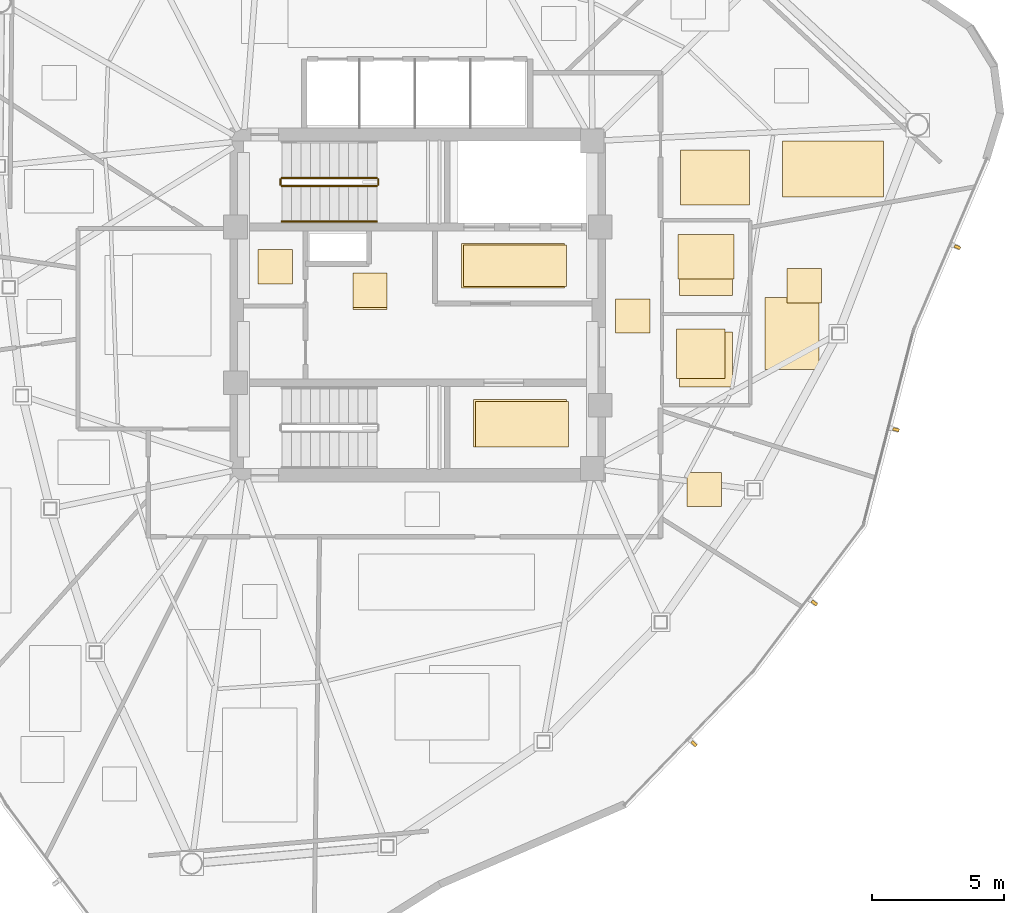
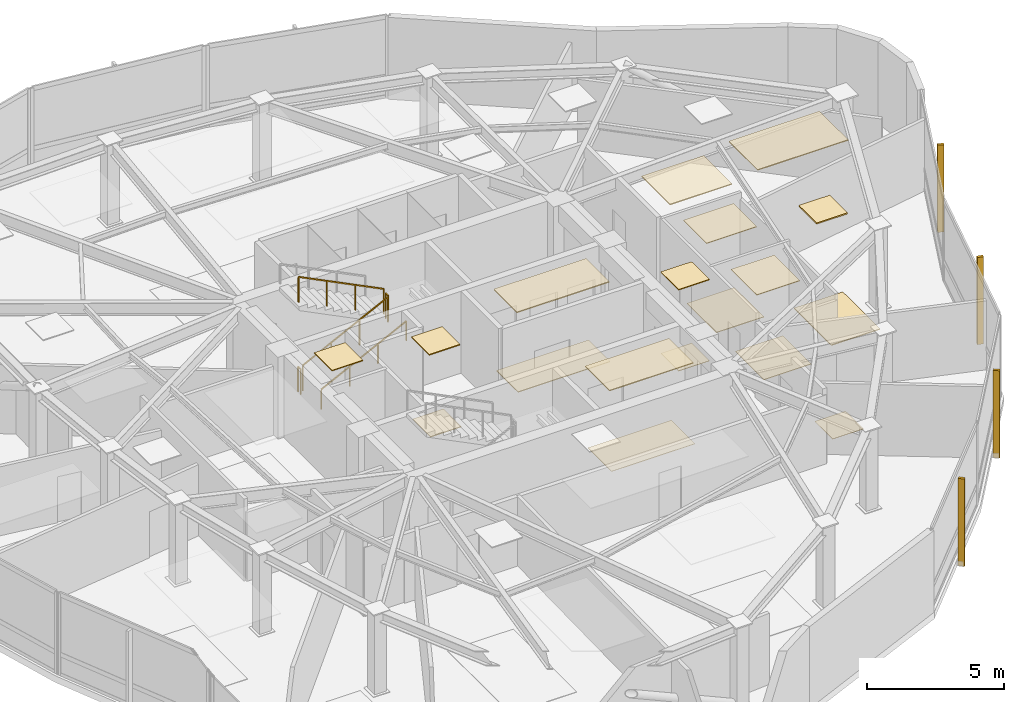
# One storey, part 13 of 14: 18 coverings, 5 railings, 4 shading devices.
"""IFC4 building model written with IfcOpenShell, lengths in metres."""

from ifc_helpers import new_model, si_unit, direction, frame, origin, origin_2d, place, context, subcontext, project, spatial, polyline, rectangle, outline, extrude, source, transform, mapped, material, layer, layer_set, type_object, type_shapes, element, save


model = new_model("IFC4")

# Units and contexts
model_context = context("Model", 3, precision=1e-05, world=origin(), true_north=direction((0.0, 1.0)))
body_context = subcontext(model_context, "Body", "Model", "MODEL_VIEW")
ifc_project = project(units=[si_unit("LENGTHUNIT", "METRE"), si_unit("AREAUNIT", "SQUARE_METRE"), si_unit("VOLUMEUNIT", "CUBIC_METRE"), si_unit("PLANEANGLEUNIT", "RADIAN"), si_unit("MASSUNIT", "GRAM", prefix="KILO")], contexts=[model_context])

# Site, building, storey
site_placement = place(None, origin())
site = spatial("IfcSite", under=ifc_project, at=site_placement, CompositionType="ELEMENT")
building_placement = place(site_placement, origin())
building = spatial("IfcBuilding", under=site, at=building_placement, Name="Tavelor Broadcast Tower", CompositionType="ELEMENT")
storey_placement = place(building_placement, frame((0.0, 0.0, 249.800048828125)))
storey = spatial("IfcBuildingStorey", under=building, at=storey_placement, Name="L59", CompositionType="ELEMENT", Elevation=249.800048828125)

# Coverings
ifc_material_1 = material(Name="Copper-Bronze Anodized Aluminium", Category="aluminium")
ifc_layer_1 = layer(ifc_material_1, 0.044921875)
ifc_layer_set_1 = layer_set([ifc_layer_1], Name="Copper-Bronze Anodized Aluminium")
covering_type_1 = type_object("IfcCoveringType", Name="Anodised Bronze Linear Slatted Concourse Ceiling 45 mm", PredefinedType="CEILING", material=ifc_layer_set_1)
covering_1_placement = place(storey_placement, frame((0.0, 0.0, 3.60498046875)))
element("IfcCovering", 1, at=covering_1_placement, inside=storey, type_object=covering_type_1, Name="L59 Suspended Acoustic Ceiling 2304", PredefinedType="CEILING", context=body_context, shape_type="SweptSolid", body=[
    extrude(outline(polyline([(51.659912109375, 45.6318359375), (55.55712890625, 45.6318359375), (55.55712890625, 47.328125), (51.659912109375, 47.328125), (51.659912109375, 45.6318359375)])), origin(), (0.0, 0.0, 1.0), 0.044921875),
])
covering_2_placement = place(storey_placement, frame((0.0, 0.0, 3.60498046875)))
element("IfcCovering", 2, at=covering_2_placement, inside=storey, type_object=covering_type_1, Name="L59 Suspended Acoustic Ceiling 2306", PredefinedType="CEILING", context=body_context, shape_type="SweptSolid", body=[
    extrude(outline(polyline([(47.5400390625, 44.89794921875), (48.840087890625, 44.89794921875), (48.840087890625, 46.197998046875), (47.5400390625, 46.197998046875), (47.5400390625, 44.89794921875)])), origin(), (0.0, 0.0, 1.0), 0.044921875),
])

# Railing
ifc_material_2 = material(Name="Steel S355", Category="steel")
railing_type_1 = type_object("IfcRailingType", Name="Continuous Brushed Stainless Handrail 900 mm", PredefinedType="HANDRAIL", material=ifc_material_2)
railing_1_placement = place(storey_placement, frame((44.85009765625, 48.14990234375, 0.179443359375)))
element("IfcRailing", 3, at=railing_1_placement, inside=storey, type_object=railing_type_1, Name="L59 ST1 stair handrail 1", PredefinedType="HANDRAIL", context=body_context, shape_type="SweptSolid", body=[
    extrude(rectangle(XDim=0.048095703125, YDim=0.048095703125, at=origin_2d()), frame((0.0, 0.0, 0.8759765625), z_axis=(0.894875846893, 0.0, 0.446315156192), x_axis=(0.0, 1.0, 0.0)), (0.0, 0.0, 1.0), 4.022705078125),
    extrude(rectangle(XDim=0.0419921875, YDim=0.0419921875, at=origin_2d()), origin(), (0.0, 0.0, 1.0), 0.851806640625),
    extrude(rectangle(XDim=0.0419921875, YDim=0.0419921875, at=origin_2d()), frame((1.199951171875, 0.0, 0.598388671875)), (0.0, 0.0, 1.0), 0.851806640625),
    extrude(rectangle(XDim=0.0419921875, YDim=0.0419921875, at=origin_2d()), frame((2.39990234375, 0.0, 1.197021484375)), (0.0, 0.0, 1.0), 0.851806640625),
    extrude(rectangle(XDim=0.0419921875, YDim=0.0419921875, at=origin_2d()), frame((3.599853515625, 0.0, 1.79541015625)), (0.0, 0.0, 1.0), 0.851806640625),
])

# Coverings
ifc_material_3 = material(Name="Architectural Anodized Aluminium", Category="aluminium")
ifc_layer_2 = layer(ifc_material_3, 0.034912109375)
ifc_layer_set_2 = layer_set([ifc_layer_2], Name="Architectural Anodized Aluminium")
covering_type_2 = type_object("IfcCoveringType", Name="Demountable Metal Tile Corridor Ceiling 35 mm", PredefinedType="CEILING", material=ifc_layer_set_2)
covering_3_placement = place(storey_placement, frame((0.0, 0.0, 3.614990234375)))
element("IfcCovering", 4, at=covering_3_placement, inside=storey, type_object=covering_type_2, Name="L59 Suspended Acoustic Ceiling 2308", PredefinedType="CEILING", context=body_context, shape_type="SweptSolid", body=[
    extrude(outline(polyline([(57.489990234375, 43.925048828125), (58.7900390625, 43.925048828125), (58.7900390625, 45.22509765625), (57.489990234375, 45.22509765625), (57.489990234375, 43.925048828125)])), origin(), (0.0, 0.0, 1.0), 0.034912109375),
])
ifc_material_4 = material(Name="Acoustic Nylon Carpet Tile")
ifc_layer_3 = layer(ifc_material_4, 0.02001953125)
ifc_layer_set_3 = layer_set([ifc_layer_3], Name="Acoustic Nylon Carpet Tile")
covering_type_3 = type_object("IfcCoveringType", Name="Heavy-Duty Acoustic Broadcast Carpet Tile 20 mm", PredefinedType="FLOORING", material=ifc_layer_set_3)
covering_4_placement = place(storey_placement, origin())
element("IfcCovering", 5, at=covering_4_placement, inside=storey, type_object=covering_type_3, Name="L59 Broadcast Floor Finish 0863", PredefinedType="FLOORING", context=body_context, shape_type="SweptSolid", body=[
    extrude(outline(polyline([(52.176025390625, 39.611328125), (55.694091796875, 39.611328125), (55.694091796875, 41.341552734375), (52.176025390625, 41.341552734375), (52.176025390625, 39.611328125)])), origin(), (0.0, 0.0, 1.0), 0.02001953125),
])
covering_5_placement = place(storey_placement, origin())
element("IfcCovering", 6, at=covering_5_placement, inside=storey, type_object=covering_type_3, Name="L59 Broadcast Floor Finish 0865", PredefinedType="FLOORING", context=body_context, shape_type="SweptSolid", body=[
    extrude(outline(polyline([(57.489990234375, 43.925048828125), (58.7900390625, 43.925048828125), (58.7900390625, 45.22509765625), (57.489990234375, 45.22509765625), (57.489990234375, 43.925048828125)])), origin(), (0.0, 0.0, 1.0), 0.02001953125),
])
covering_6_placement = place(storey_placement, origin())
element("IfcCovering", 7, at=covering_6_placement, inside=storey, type_object=covering_type_3, Name="L59 Broadcast Floor Finish 0877", PredefinedType="FLOORING", context=body_context, shape_type="SweptSolid", body=[
    extrude(outline(polyline([(60.193115234375, 37.359130859375), (61.4931640625, 37.359130859375), (61.4931640625, 38.6591796875), (60.193115234375, 38.6591796875), (60.193115234375, 37.359130859375)])), origin(), (0.0, 0.0, 1.0), 0.02001953125),
])
ifc_material_5 = material(Name="Honed Natural Limestone Tile", Category="masonry")
ifc_layer_4 = layer(ifc_material_5, 0.030029296875)
ifc_layer_set_4 = layer_set([ifc_layer_4], Name="Honed Natural Limestone Tile")
covering_type_4 = type_object("IfcCoveringType", Name="Honed Jerusalem Limestone Concourse Flooring 30 mm", PredefinedType="FLOORING", material=ifc_layer_set_4)
covering_7_placement = place(storey_placement, origin())
element("IfcCovering", 8, at=covering_7_placement, inside=storey, type_object=covering_type_4, Name="L59 Broadcast Floor Finish 0862", PredefinedType="FLOORING", context=body_context, shape_type="SweptSolid", body=[
    extrude(outline(polyline([(51.7373046875, 45.689453125), (55.62255859375, 45.689453125), (55.62255859375, 47.2705078125), (51.7373046875, 47.2705078125), (51.7373046875, 45.689453125)])), origin(), (0.0, 0.0, 1.0), 0.030029296875),
])
covering_8_placement = place(storey_placement, origin())
element("IfcCovering", 9, at=covering_8_placement, inside=storey, type_object=covering_type_4, Name="L59 Broadcast Floor Finish 0864", PredefinedType="FLOORING", context=body_context, shape_type="SweptSolid", body=[
    extrude(outline(polyline([(47.5400390625, 44.818115234375), (48.840087890625, 44.818115234375), (48.840087890625, 46.117919921875), (47.5400390625, 46.117919921875), (47.5400390625, 44.818115234375)])), origin(), (0.0, 0.0, 1.0), 0.030029296875),
])
ifc_material_6 = material(Name="Acoustic Hardwood Studio Flooring", Category="wood")
ifc_layer_5 = layer(ifc_material_6, 0.034912109375)
ifc_layer_set_5 = layer_set([ifc_layer_5], Name="Acoustic Hardwood Studio Flooring")
covering_type_5 = type_object("IfcCoveringType", Name="Isolated Studio Acoustic Elastomeric Floor Finish 35 mm", PredefinedType="FLOORING", material=ifc_layer_set_5)
covering_9_placement = place(storey_placement, origin())
element("IfcCovering", 10, at=covering_9_placement, inside=storey, type_object=covering_type_5, Name="L59 Broadcast Floor Finish 0876", PredefinedType="FLOORING", context=body_context, shape_type="SweptSolid", body=[
    extrude(outline(polyline([(63.135009765625, 42.548583984375), (65.1923828125, 42.548583984375), (65.1923828125, 45.27001953125), (63.135009765625, 45.27001953125), (63.135009765625, 42.548583984375)])), origin(), (0.0, 0.0, 1.0), 0.034912109375),
])
ifc_material_7 = material(Name="Acoustic Perforated Timber Baffle", Category="wood")
ifc_layer_6 = layer(ifc_material_7, 0.054931640625)
ifc_layer_set_6 = layer_set([ifc_layer_6], Name="Acoustic Perforated Timber Baffle")
covering_type_6 = type_object("IfcCoveringType", Name="Micro-Perforated Acoustic Baffle Studio Ceiling 55 mm", PredefinedType="CEILING", material=ifc_layer_set_6)
covering_10_placement = place(storey_placement, frame((0.0, 0.0, 3.594970703125)))
element("IfcCovering", 11, at=covering_10_placement, inside=storey, type_object=covering_type_6, Name="L59 Suspended Acoustic Ceiling 2336", PredefinedType="CEILING", context=body_context, shape_type="SweptSolid", body=[
    extrude(outline(polyline([(63.973388671875, 45.072021484375), (65.273193359375, 45.072021484375), (65.273193359375, 46.3720703125), (63.973388671875, 46.3720703125), (63.973388671875, 45.072021484375)])), origin(), (0.0, 0.0, 1.0), 0.054931640625),
])
ifc_layer_7 = layer(ifc_material_3, 0.030029296875)
ifc_layer_set_7 = layer_set([ifc_layer_7], Name="Architectural Anodized Aluminium")
covering_type_7 = type_object("IfcCoveringType", Name="Moisture-Resistant Washroom Ceiling 30 mm", PredefinedType="CEILING", material=ifc_layer_set_7)
covering_11_placement = place(storey_placement, frame((0.0, 0.0, 3.619873046875)))
element("IfcCovering", 12, at=covering_11_placement, inside=storey, type_object=covering_type_7, Name="L59 Suspended Acoustic Ceiling 2311", PredefinedType="CEILING", context=body_context, shape_type="SweptSolid", body=[
    extrude(outline(polyline([(59.7958984375, 42.2060546875), (61.615966796875, 42.2060546875), (61.615966796875, 44.0830078125), (59.7958984375, 44.0830078125), (59.7958984375, 42.2060546875)])), origin(), (0.0, 0.0, 1.0), 0.030029296875),
])
covering_12_placement = place(storey_placement, frame((0.0, 0.0, 3.619873046875)))
element("IfcCovering", 13, at=covering_12_placement, inside=storey, type_object=covering_type_7, Name="L59 Suspended Acoustic Ceiling 2312", PredefinedType="CEILING", context=body_context, shape_type="SweptSolid", body=[
    extrude(outline(polyline([(59.85302734375, 45.971435546875), (61.967041015625, 45.971435546875), (61.967041015625, 47.668212890625), (59.85302734375, 47.668212890625), (59.85302734375, 45.971435546875)])), origin(), (0.0, 0.0, 1.0), 0.030029296875),
])
ifc_material_8 = material(Name="Slip-Resistant Porcelain Tile")
ifc_layer_8 = layer(ifc_material_8, 0.02490234375)
ifc_layer_set_8 = layer_set([ifc_layer_8], Name="Slip-Resistant Porcelain Tile")
covering_type_8 = type_object("IfcCoveringType", Name="Slip-Resistant Porcelain Wet-Area Floor Tile 25 mm", PredefinedType="FLOORING", material=ifc_layer_set_8)
covering_13_placement = place(storey_placement, origin())
element("IfcCovering", 14, at=covering_13_placement, inside=storey, type_object=covering_type_8, Name="L59 Broadcast Floor Finish 0867", PredefinedType="FLOORING", context=body_context, shape_type="SweptSolid", body=[
    extrude(outline(polyline([(59.91064453125, 41.885986328125), (61.909423828125, 41.885986328125), (61.909423828125, 43.964111328125), (59.91064453125, 43.964111328125), (59.91064453125, 41.885986328125)])), origin(), (0.0, 0.0, 1.0), 0.02490234375),
])
covering_14_placement = place(storey_placement, origin())
element("IfcCovering", 15, at=covering_14_placement, inside=storey, type_object=covering_type_8, Name="L59 Broadcast Floor Finish 0868", PredefinedType="FLOORING", context=body_context, shape_type="SweptSolid", body=[
    extrude(outline(polyline([(59.91064453125, 45.35009765625), (61.909423828125, 45.35009765625), (61.909423828125, 47.5), (59.91064453125, 47.5), (59.91064453125, 45.35009765625)])), origin(), (0.0, 0.0, 1.0), 0.02490234375),
])

# Railings
railing_type_2 = type_object("IfcRailingType", Name="Stairwell Steel Safety Guardrail 1150 mm", PredefinedType="GUARDRAIL", material=ifc_material_2)
railing_2_placement = place(storey_placement, frame((44.85009765625, 49.5, 0.179443359375)))
element("IfcRailing", 16, at=railing_2_placement, inside=storey, type_object=railing_type_2, Name="L59 ST1 stair guard 1", PredefinedType="GUARDRAIL", context=body_context, shape_type="SweptSolid", body=[
    extrude(rectangle(XDim=0.048095703125, YDim=0.048095703125, at=origin_2d()), frame((0.0, 0.0, 1.1259765625), z_axis=(0.894875846893, 0.0, 0.446315156192), x_axis=(0.0, 1.0, 0.0)), (0.0, 0.0, 1.0), 4.022705078125),
    extrude(rectangle(XDim=0.0419921875, YDim=0.0419921875, at=origin_2d()), origin(), (0.0, 0.0, 1.0), 1.101806640625),
    extrude(rectangle(XDim=0.0419921875, YDim=0.0419921875, at=origin_2d()), frame((1.199951171875, 0.0, 0.598388671875)), (0.0, 0.0, 1.0), 1.101806640625),
    extrude(rectangle(XDim=0.0419921875, YDim=0.0419921875, at=origin_2d()), frame((2.39990234375, 0.0, 1.197021484375)), (0.0, 0.0, 1.0), 1.101806640625),
    extrude(rectangle(XDim=0.0419921875, YDim=0.0419921875, at=origin_2d()), frame((3.599853515625, 0.0, 1.79541015625)), (0.0, 0.0, 1.0), 1.101806640625),
])
railing_3_placement = place(storey_placement, frame((48.5, 49.550048828125, 1.974853515625)))
element("IfcRailing", 17, at=railing_3_placement, inside=storey, type_object=railing_type_2, Name="L59 ST1 stair guard 2", PredefinedType="GUARDRAIL", context=body_context, shape_type="SweptSolid", body=[
    extrude(rectangle(XDim=0.048095703125, YDim=0.048095703125, at=origin_2d()), frame((0.0, 0.0, 1.1259765625), z_axis=(0.0, 1.0, 0.0), x_axis=(-1.0, 0.0, 0.0)), (0.0, 0.0, 1.0), 0.199951171875),
    extrude(rectangle(XDim=0.0419921875, YDim=0.0419921875, at=origin_2d()), origin(), (0.0, 0.0, 1.0), 1.101806640625),
    extrude(rectangle(XDim=0.0419921875, YDim=0.0419921875, at=origin_2d()), frame((0.0, 0.199951171875, 0.0)), (0.0, 0.0, 1.0), 1.101806640625),
])
railing_4_placement = place(storey_placement, frame((48.449951171875, 49.800048828125, 2.154541015625)))
element("IfcRailing", 18, at=railing_4_placement, inside=storey, type_object=railing_type_2, Name="L59 ST1 stair guard 3", PredefinedType="GUARDRAIL", context=body_context, shape_type="SweptSolid", body=[
    extrude(rectangle(XDim=0.048095703125, YDim=0.048095703125, at=origin_2d()), frame((0.0, 0.0, 1.1259765625), z_axis=(-0.894875846893, 0.0, 0.446315156192), x_axis=(0.0, -1.0, 0.0)), (0.0, 0.0, 1.0), 4.022705078125),
    extrude(rectangle(XDim=0.0419921875, YDim=0.0419921875, at=origin_2d()), origin(), (0.0, 0.0, 1.0), 1.101806640625),
    extrude(rectangle(XDim=0.0419921875, YDim=0.0419921875, at=origin_2d()), frame((-1.199951171875, 0.0, 0.598388671875)), (0.0, 0.0, 1.0), 1.101806640625),
    extrude(rectangle(XDim=0.0419921875, YDim=0.0419921875, at=origin_2d()), frame((-2.39990234375, 0.0, 1.197021484375)), (0.0, 0.0, 1.0), 1.101806640625),
    extrude(rectangle(XDim=0.0419921875, YDim=0.0419921875, at=origin_2d()), frame((-3.599853515625, 0.0, 1.79541015625)), (0.0, 0.0, 1.0), 1.101806640625),
])
railing_5_placement = place(storey_placement, frame((44.800048828125, 49.550048828125, 0.0)))
element("IfcRailing", 19, at=railing_5_placement, inside=storey, type_object=railing_type_2, Name="L59 ST1 stair guard 4", PredefinedType="GUARDRAIL", context=body_context, shape_type="SweptSolid", body=[
    extrude(rectangle(XDim=0.048095703125, YDim=0.048095703125, at=origin_2d()), frame((0.0, 0.0, 1.1259765625), z_axis=(0.0, 1.0, 0.0), x_axis=(-1.0, 0.0, 0.0)), (0.0, 0.0, 1.0), 0.199951171875),
    extrude(rectangle(XDim=0.0419921875, YDim=0.0419921875, at=origin_2d()), origin(), (0.0, 0.0, 1.0), 1.101806640625),
    extrude(rectangle(XDim=0.0419921875, YDim=0.0419921875, at=origin_2d()), frame((0.0, 0.199951171875, 0.0)), (0.0, 0.0, 1.0), 1.101806640625),
])

# Coverings
ifc_material_9 = material(Name="Acoustic Mineral Fibre Tile")
ifc_layer_9 = layer(ifc_material_9, 0.0400390625)
ifc_layer_set_9 = layer_set([ifc_layer_9], Name="Acoustic Mineral Fibre Tile")
covering_type_9 = type_object("IfcCoveringType", Name="Suspended Acoustic Mineral-Fibre Office Ceiling 40 mm", PredefinedType="CEILING", material=ifc_layer_set_9)
covering_15_placement = place(storey_placement, frame((0.0, 0.0, 3.60986328125)))
element("IfcCovering", 20, at=covering_15_placement, inside=storey, type_object=covering_type_9, Name="L59 Suspended Acoustic Ceiling 2305", PredefinedType="CEILING", context=body_context, shape_type="SweptSolid", body=[
    extrude(outline(polyline([(52.098388671875, 39.62255859375), (55.628662109375, 39.62255859375), (55.628662109375, 41.410400390625), (52.098388671875, 41.410400390625), (52.098388671875, 39.62255859375)])), origin(), (0.0, 0.0, 1.0), 0.0400390625),
])
covering_16_placement = place(storey_placement, frame((0.0, 0.0, 3.60986328125)))
element("IfcCovering", 21, at=covering_16_placement, inside=storey, type_object=covering_type_9, Name="L59 Suspended Acoustic Ceiling 2307", PredefinedType="CEILING", context=body_context, shape_type="SweptSolid", body=[
    extrude(outline(polyline([(43.951416015625, 45.794921875), (45.25146484375, 45.794921875), (45.25146484375, 47.094970703125), (43.951416015625, 47.094970703125), (43.951416015625, 45.794921875)])), origin(), (0.0, 0.0, 1.0), 0.0400390625),
])
covering_17_placement = place(storey_placement, frame((0.0, 0.0, 3.60986328125)))
element("IfcCovering", 22, at=covering_17_placement, inside=storey, type_object=covering_type_9, Name="L59 Suspended Acoustic Ceiling 2334", PredefinedType="CEILING", context=body_context, shape_type="SweptSolid", body=[
    extrude(outline(polyline([(63.806640625, 49.089599609375), (67.62744140625, 49.089599609375), (67.62744140625, 51.193603515625), (63.806640625, 51.193603515625), (63.806640625, 49.089599609375)])), origin(), (0.0, 0.0, 1.0), 0.0400390625),
])
covering_18_placement = place(storey_placement, frame((0.0, 0.0, 3.60986328125)))
element("IfcCovering", 23, at=covering_18_placement, inside=storey, type_object=covering_type_9, Name="L59 Suspended Acoustic Ceiling 2335", PredefinedType="CEILING", context=body_context, shape_type="SweptSolid", body=[
    extrude(outline(polyline([(59.935791015625, 48.783935546875), (62.552734375, 48.783935546875), (62.552734375, 50.8603515625), (59.935791015625, 50.8603515625), (59.935791015625, 48.783935546875)])), origin(), (0.0, 0.0, 1.0), 0.0400390625),
])

# Shading devices
ifc_material_10 = material(Name="Kiln-Fired Glazed Terracotta", Category="masonry")
shading_device_type = type_object("IfcShadingDeviceType", Name="Extruded Terracotta Baguette Sun-Screen 110x240", PredefinedType="JALOUSIE", material=ifc_material_10)
shared_shape = source(origin(), body_context, "Body", "SweptSolid", [
    extrude(rectangle(XDim=0.110107421875, YDim=0.239990234375, at=origin_2d()), origin(), (0.0, 0.0, 1.0), 3.889892578125),
])
type_shapes(shading_device_type, [shared_shape])
for number, where, z_axis, x_axis, name in (
    (24, (60.4580078125, 28.385986328125, -0.259765625), (0.0, 0.0, 1.0), (0.694281629815, 0.719703423989, 0.0), "L59 Terracotta Baguette Fin 617"),
    (25, (65.008544921875, 33.714111328125, -0.259765625), (0.0, 0.0, 1.0), (0.602093762865, 0.798425388323, 0.0), "L59 Terracotta Baguette Fin 618"),
    (26, (68.098876953125, 40.27587890625, -0.259765625), (0.0, 0.0, 1.0), (0.249366025115, 0.968409306811, 0.0), "L59 Terracotta Baguette Fin 619"),
    (27, (70.421142578125, 47.1826171875, -0.259765625), (0.0, 0.0, 1.0), (0.392658170968, 0.919684489797, 0.0), "L59 Terracotta Baguette Fin 620"),
):
    element("IfcShadingDevice", number, at=place(storey_placement, frame(where, z_axis=z_axis, x_axis=x_axis)), inside=storey, type_object=shading_device_type, Name=name, PredefinedType="JALOUSIE", context=body_context, shape_type="MappedRepresentation", body=[
        mapped(shared_shape, transform((0.0, 0.0, 0.0), scale=1.0)),
    ])

save(model, "model.ifc")
